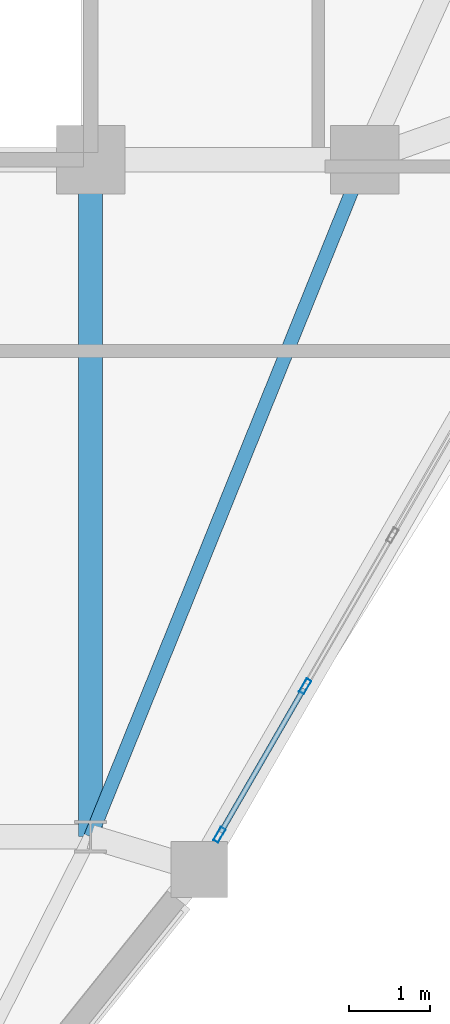
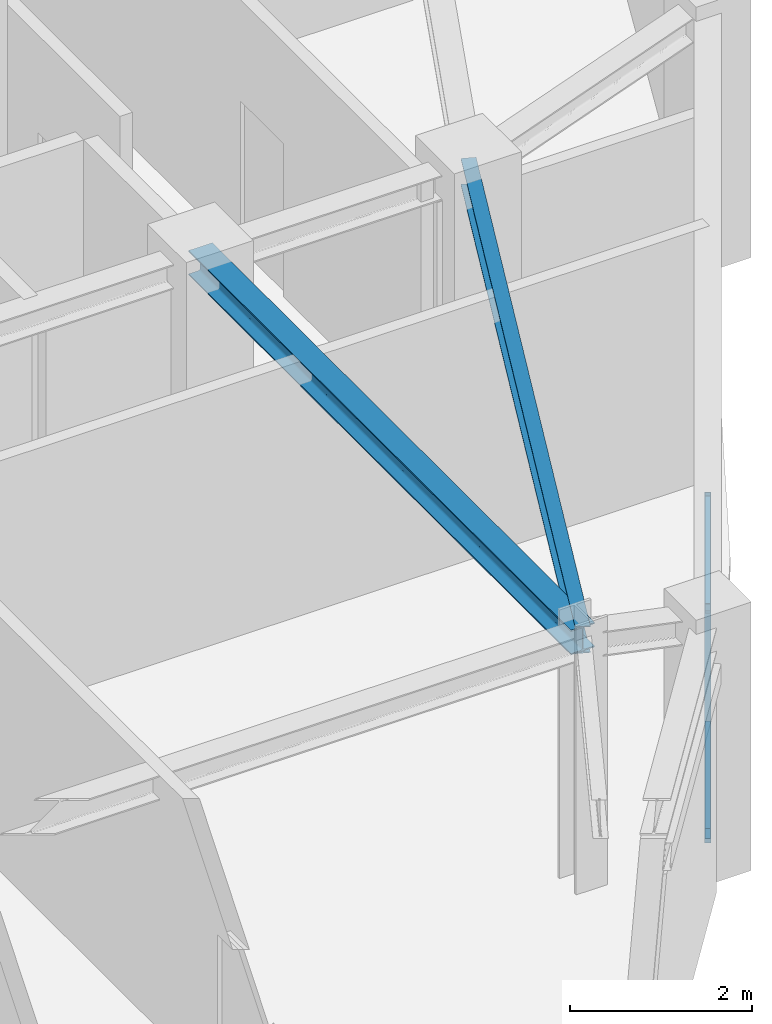
# One storey, part 4 of 15: 4 members, 2 beams, 1 element without a shape of its own.
"""IFC4 building model written with IfcOpenShell, lengths in metres."""

from ifc_helpers import new_model, si_unit, derived_unit, direction, frame, origin, origin_2d, place, context, subcontext, project, spatial, hollow_rectangle, i_section, extrude, source, transform, mapped, material, layer, layer_set, material_profile, profile_set, type_object, element, aggregate, save


model = new_model("IFC4")

# Units and contexts
model_context = context("Model", 3, precision=1e-05, world=origin(), true_north=direction((0.0, 1.0)))
body_context = subcontext(model_context, "Body", "Model", "MODEL_VIEW")
ifc_project = project(units=[si_unit("LENGTHUNIT", "METRE"), si_unit("AREAUNIT", "SQUARE_METRE"), si_unit("VOLUMEUNIT", "CUBIC_METRE"), si_unit("PLANEANGLEUNIT", "RADIAN"), si_unit("MASSUNIT", "GRAM", prefix="KILO"), derived_unit("THERMALTRANSMITTANCEUNIT", [(si_unit("POWERUNIT", "WATT"), 1), (si_unit("LENGTHUNIT", "METRE"), -2), (si_unit("THERMODYNAMICTEMPERATUREUNIT", "KELVIN"), -1)])], contexts=[model_context])

# Site, building, storey
site_placement = place(None, origin())
site = spatial("IfcSite", under=ifc_project, at=site_placement, CompositionType="ELEMENT")
building_placement = place(site_placement, origin())
building = spatial("IfcBuilding", under=site, at=building_placement, Name="Korsvarv Bourse and Concert Hall", CompositionType="ELEMENT")
storey_placement = place(building_placement, frame((0.0, 0.0, 264.60009765625)))
storey = spatial("IfcBuildingStorey", under=building, at=storey_placement, Name="L69", CompositionType="ELEMENT", Elevation=264.60009765625)

# Beams
ifc_material_1 = material(Name="Steel S355", Category="steel")
ifc_material_profile_1 = material_profile(ifc_material_1, i_section(OverallWidth=0.169921875, OverallDepth=0.360107421875, WebThickness=0.008056640625, FlangeThickness=0.0126953125, FilletRadius=0.01806640625, at=origin_2d()), Name="IPE 360")
ifc_profile_set_1 = profile_set([ifc_material_profile_1], Name="Steel S355")
beam_type_1 = type_object("IfcBeamType", Name="BM-IPE360", PredefinedType="JOIST", material=ifc_profile_set_1)
shared_shape_1 = source(origin(), body_context, "Body", "SweptSolid", [
    extrude(i_section(OverallWidth=0.169921875, OverallDepth=0.360107421875, WebThickness=0.008056640625, FlangeThickness=0.0126953125, FilletRadius=0.01806640625, at=origin_2d()), origin(), (0.0, 0.0, 1.0), 9.06201171875),
])
beam_1_placement = place(storey_placement, frame((47.800048828125, 32.39990234375, 3.22998046875), z_axis=(-0.375210394783, -0.926939674222, 0.0), x_axis=(0.926939674222, -0.375210394783, 0.0)))
element("IfcBeam", 1, at=beam_1_placement, inside=storey, type_object=beam_type_1, Name="L69 beam J-06", PredefinedType="JOIST", context=body_context, shape_type="MappedRepresentation", body=[
    mapped(shared_shape_1, transform((0.0, 0.0, 0.0), scale=1.0)),
])
ifc_material_profile_2 = material_profile(ifc_material_1, i_section(OverallWidth=0.300048828125, OverallDepth=0.330078125, WebThickness=0.009521484375, FlangeThickness=0.0166015625, FilletRadius=0.02099609375, at=origin_2d()), Name="HEA 340")
ifc_profile_set_2 = profile_set([ifc_material_profile_2], Name="Steel S355")
beam_type_2 = type_object("IfcBeamType", Name="BM-HEA340", PredefinedType="BEAM", material=ifc_profile_set_2)
shared_shape_2 = source(origin(), body_context, "Body", "SweptSolid", [
    extrude(i_section(OverallWidth=0.300048828125, OverallDepth=0.330078125, WebThickness=0.009521484375, FlangeThickness=0.0166015625, FilletRadius=0.02099609375, at=origin_2d()), origin(), (0.0, 0.0, 1.0), 8.39990234375),
])
beam_2_placement = place(storey_placement, frame((44.39990234375, 24.0, 3.244873046875), z_axis=(0.0, 1.0, 0.0), x_axis=(-1.0, 0.0, 0.0)))
element("IfcBeam", 2, at=beam_2_placement, inside=storey, type_object=beam_type_2, Name="L69 beam B-12", PredefinedType="BEAM", context=body_context, shape_type="MappedRepresentation", body=[
    mapped(shared_shape_2, transform((0.0, 0.0, 0.0), scale=1.0)),
])

# Curtain wall, members
ifc_material_2 = material(Name="Anodised aluminium and triple low-E glazing", Category="glass")
ifc_layer = layer(ifc_material_2, 0.199951171875)
ifc_layer_set = layer_set([ifc_layer], Name="Anodised aluminium and triple low-E glazing")
curtain_wall_type = type_object("IfcCurtainWallType", Name="CW-SYS-3", PredefinedType="NOTDEFINED", material=ifc_layer_set)
curtain_wall_placement = place(storey_placement, origin())
curtain_wall = element("IfcCurtainWall", 3, at=curtain_wall_placement, inside=storey, type_object=curtain_wall_type, Name="L69 CW3 curtain wall CW-L69-F11", PredefinedType="NOTDEFINED")
ifc_material_3 = material(Name="Extruded aluminium EN AW-6063 T66", Category="aluminium")
ifc_material_profile_3 = material_profile(ifc_material_3, hollow_rectangle(XDim=0.070068359375, YDim=0.18994140625, WallThickness=0.0048828125, at=origin_2d()), Name="ALU-M 70x190")
ifc_profile_set_3 = profile_set([ifc_material_profile_3], Name="Extruded aluminium EN AW-6063 T66")
member_type_1 = type_object("IfcMemberType", Name="CWM-190", PredefinedType="MULLION", material=ifc_profile_set_3)
shared_shape_3 = source(origin(), body_context, "Body", "SweptSolid", [
    extrude(hollow_rectangle(XDim=0.070068359375, YDim=0.18994140625, WallThickness=0.0048828125, at=origin_2d()), origin(), (0.0, 0.0, 1.0), 3.079833984375),
])
member_1_placement = place(storey_placement, frame((45.998046875, 24.02392578125, 0.0), z_axis=(0.0, 0.0, 1.0), x_axis=(-0.866022834448, 0.500004450195, 0.0)))
member_1 = element("IfcMember", 4, at=member_1_placement, type_object=member_type_1, Name="CW3 mullion 1", PredefinedType="MULLION", context=body_context, shape_type="MappedRepresentation", body=[
    mapped(shared_shape_3, transform((0.0, 0.0, 0.0), scale=1.0)),
])
member_2_placement = place(storey_placement, frame((47.062255859375, 25.86669921875, 0.0), z_axis=(0.0, 0.0, 1.0), x_axis=(-0.866022834448, 0.500004450195, 0.0)))
member_2 = element("IfcMember", 5, at=member_2_placement, type_object=member_type_1, Name="CW3 mullion 2", PredefinedType="MULLION", context=body_context, shape_type="MappedRepresentation", body=[
    mapped(shared_shape_3, transform((0.0, 0.0, 0.0), scale=1.0)),
])
ifc_material_profile_4 = material_profile(ifc_material_3, hollow_rectangle(XDim=0.06494140625, YDim=0.139892578125, WallThickness=0.00390625, at=origin_2d()), Name="ALU-T 65x140")
ifc_profile_set_4 = profile_set([ifc_material_profile_4], Name="Extruded aluminium EN AW-6063 T66")
member_type_2 = type_object("IfcMemberType", Name="CWT-140", PredefinedType="USERDEFINED", material=ifc_profile_set_4)
shared_shape_4 = source(origin(), body_context, "Body", "SweptSolid", [
    extrude(hollow_rectangle(XDim=0.06494140625, YDim=0.139892578125, WallThickness=0.00390625, at=origin_2d()), origin(), (0.0, 0.0, 1.0), 2.057861328125),
])
member_3_placement = place(storey_placement, frame((46.015625, 24.05419921875, 0.032470703125), z_axis=(0.500030520673, 0.866007781949, 0.0), x_axis=(-0.866007781949, 0.500030520673, 0.0)))
member_3 = element("IfcMember", 6, at=member_3_placement, type_object=member_type_2, Name="CW3 transom 1.1", ObjectType="TRANSOM", PredefinedType="USERDEFINED", context=body_context, shape_type="MappedRepresentation", body=[
    mapped(shared_shape_4, transform((0.0, 0.0, 0.0), scale=1.0)),
])
member_4_placement = place(storey_placement, frame((46.015625, 24.05419921875, 3.04736328125), z_axis=(0.500030520673, 0.866007781949, 0.0), x_axis=(-0.866007781949, 0.500030520673, 0.0)))
member_4 = element("IfcMember", 7, at=member_4_placement, type_object=member_type_2, Name="CW3 transom 1.2", ObjectType="TRANSOM", PredefinedType="USERDEFINED", context=body_context, shape_type="MappedRepresentation", body=[
    mapped(shared_shape_4, transform((0.0, 0.0, 0.0), scale=1.0)),
])
aggregate(curtain_wall, [member_1, member_2, member_3, member_4])

save(model, "model.ifc")
